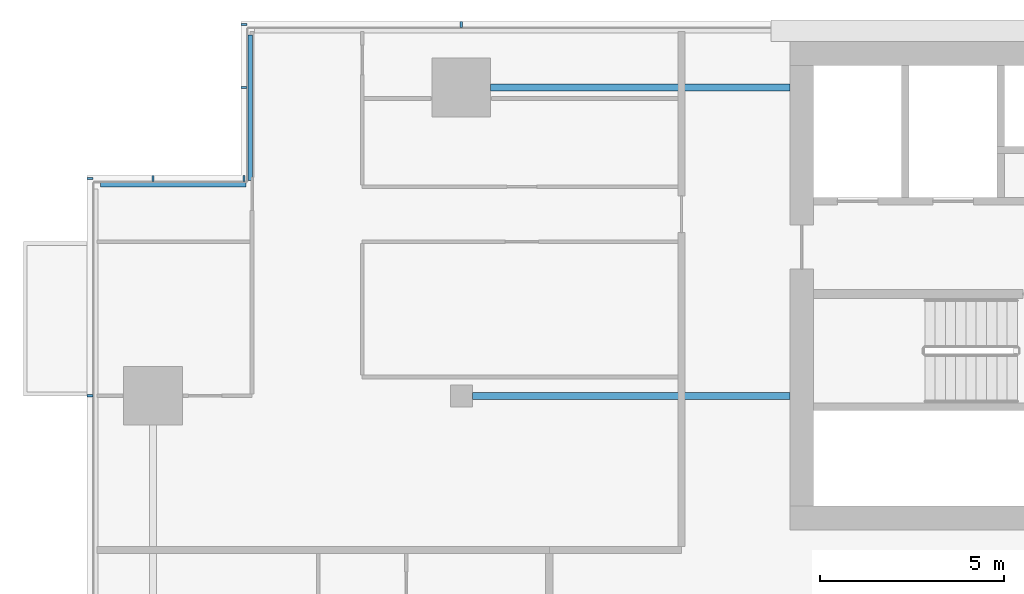
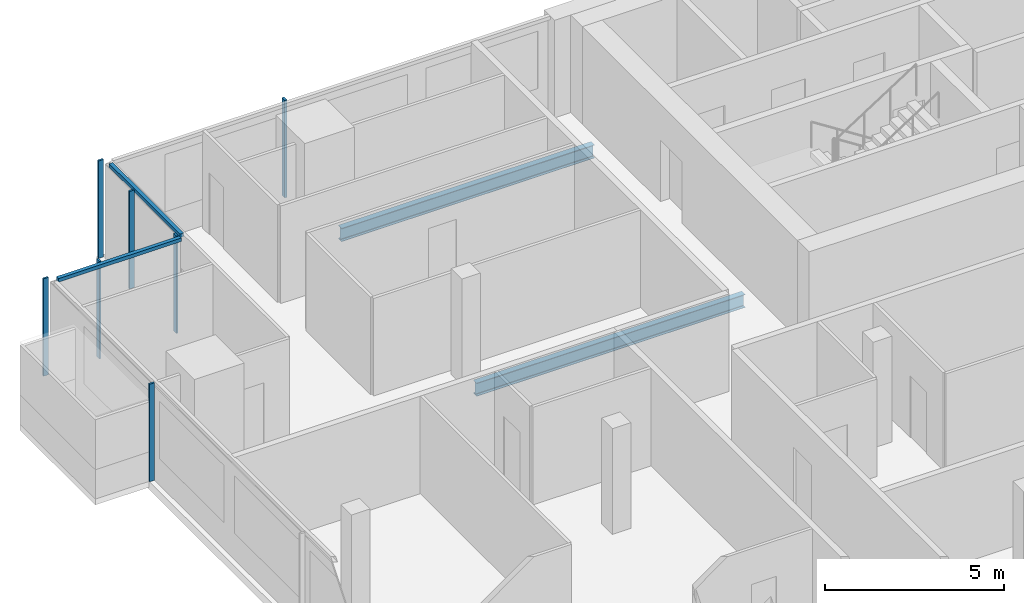
# One storey, part 8 of 30: 9 members, 2 beams, 4 elements without a shape of their own.
"""IFC4 building model written with IfcOpenShell, lengths in metres."""

from ifc_helpers import new_model, si_unit, direction, frame, origin, origin_2d, place, context, subcontext, project, spatial, rectangle, i_section, extrude, material, material_profile, profile_set, type_object, element, aggregate, save


model = new_model("IFC4")

# Units and contexts
model_context = context("Model", 3, precision=1e-05, world=origin(), true_north=direction((0.0, 1.0)))
body_context = subcontext(model_context, "Body", "Model", "MODEL_VIEW")
ifc_project = project(units=[si_unit("LENGTHUNIT", "METRE"), si_unit("AREAUNIT", "SQUARE_METRE"), si_unit("VOLUMEUNIT", "CUBIC_METRE"), si_unit("PLANEANGLEUNIT", "RADIAN"), si_unit("MASSUNIT", "GRAM", prefix="KILO")], contexts=[model_context])

# Site, building, storey
site_placement = place(None, origin())
site = spatial("IfcSite", under=ifc_project, at=site_placement, CompositionType="ELEMENT")
building_placement = place(site_placement, origin())
building = spatial("IfcBuilding", under=site, at=building_placement, Name="Saffron Gate Tower", CompositionType="ELEMENT")
storey_placement = place(building_placement, frame((0.0, 0.0, 223.5)))
storey = spatial("IfcBuildingStorey", under=building, at=storey_placement, Name="L54", CompositionType="ELEMENT", Elevation=223.5)

# Beams
ifc_material_1 = material(Name="Structural steel S355", Category="steel")
ifc_material_profile_1 = material_profile(ifc_material_1, i_section(OverallWidth=0.18994140625, OverallDepth=0.449951171875, WebThickness=0.009521484375, FlangeThickness=0.0146484375, FilletRadius=0.02099609375, at=origin_2d()))
ifc_profile_set_1 = profile_set([ifc_material_profile_1], Name="Structural steel S355")
beam_type = type_object("IfcBeamType", Name="B6 IPE 450", PredefinedType="BEAM", material=ifc_profile_set_1)
beam_1_placement = place(storey_placement, frame((58.5, 65.39990234375, -0.5048828125), z_axis=(1.0, 0.0, 0.0), x_axis=(0.0, 1.0, 0.0)))
element("IfcBeam", 1, at=beam_1_placement, inside=storey, type_object=beam_type, Name="B6 CORE TIE BEAM", PredefinedType="BEAM", context=body_context, shape_type="SweptSolid", body=[
    extrude(i_section(OverallWidth=0.18994140625, OverallDepth=0.449951171875, WebThickness=0.009521484375, FlangeThickness=0.0146484375, FilletRadius=0.02099609375, at=origin_2d()), origin(), (0.0, 0.0, 1.0), 8.64990234375),
])
beam_2_placement = place(storey_placement, frame((59.0, 73.800048828125, -0.5048828125), z_axis=(1.0, 0.0, 0.0), x_axis=(0.0, 1.0, 0.0)))
element("IfcBeam", 2, at=beam_2_placement, inside=storey, type_object=beam_type, Name="B6 CORE TIE BEAM", PredefinedType="BEAM", context=body_context, shape_type="SweptSolid", body=[
    extrude(i_section(OverallWidth=0.18994140625, OverallDepth=0.449951171875, WebThickness=0.009521484375, FlangeThickness=0.0146484375, FilletRadius=0.02099609375, at=origin_2d()), origin(), (0.0, 0.0, 1.0), 8.14990234375),
])

# Curtain wall, members
ifc_material_2 = material(Name="Aluminium, bronze anodised", Category="aluminium")
curtain_wall_type_1 = type_object("IfcCurtainWallType", Name="CWS2 curtain wall side facades", PredefinedType="NOTDEFINED", material=ifc_material_2)
curtain_wall_1_placement = place(storey_placement, origin())
curtain_wall_1 = element("IfcCurtainWall", 3, at=curtain_wall_1_placement, inside=storey, type_object=curtain_wall_type_1, Name="CWS2 run 10", PredefinedType="NOTDEFINED")
ifc_material_profile_2 = material_profile(ifc_material_2, rectangle(XDim=0.159912109375, YDim=0.06005859375, at=origin_2d()))
ifc_profile_set_2 = profile_set([ifc_material_profile_2], Name="Aluminium, bronze anodised")
member_type_1 = type_object("IfcMemberType", Name="CWS2 mullion 60x160", PredefinedType="MULLION", material=ifc_profile_set_2)
member_1_placement = place(storey_placement, frame((48.080078125, 71.320068359375, 0.0), z_axis=(0.0, 0.0, 1.0), x_axis=(1.0, 0.0, 0.0)))
member_1 = element("IfcMember", 4, at=member_1_placement, type_object=member_type_1, Name="CWS2 mullion 1", PredefinedType="MULLION", context=body_context, shape_type="SweptSolid", body=[
    extrude(rectangle(XDim=0.159912109375, YDim=0.06005859375, at=origin_2d()), origin(), (0.0, 0.0, 1.0), 3.320068359375),
])
member_2_placement = place(storey_placement, frame((48.080078125, 65.39990234375, 0.0), z_axis=(0.0, 0.0, 1.0), x_axis=(1.0, 0.0, 0.0)))
member_2 = element("IfcMember", 5, at=member_2_placement, type_object=member_type_1, Name="CWS2 mullion 2", PredefinedType="MULLION", context=body_context, shape_type="SweptSolid", body=[
    extrude(rectangle(XDim=0.159912109375, YDim=0.06005859375, at=origin_2d()), origin(), (0.0, 0.0, 1.0), 3.320068359375),
])
aggregate(curtain_wall_1, [member_1, member_2])

# Curtain wall, member
curtain_wall_type_2 = type_object("IfcCurtainWallType", Name="CWS3 curtain wall rear facade", PredefinedType="NOTDEFINED", material=ifc_material_2)
curtain_wall_2_placement = place(storey_placement, origin())
curtain_wall_2 = element("IfcCurtainWall", 6, at=curtain_wall_2_placement, inside=storey, type_object=curtain_wall_type_2, Name="CWS3 run 7", PredefinedType="NOTDEFINED")
ifc_material_profile_3 = material_profile(ifc_material_2, rectangle(XDim=0.159912109375, YDim=0.070068359375, at=origin_2d()))
ifc_profile_set_3 = profile_set([ifc_material_profile_3], Name="Aluminium, bronze anodised")
member_type_2 = type_object("IfcMemberType", Name="CWS3 mullion 70x160", PredefinedType="MULLION", material=ifc_profile_set_3)
member_3_placement = place(storey_placement, frame((58.199951171875, 75.52001953125, 0.0), z_axis=(0.0, 0.0, 1.0), x_axis=(0.0, -1.0, 0.0)))
member_3 = element("IfcMember", 7, at=member_3_placement, type_object=member_type_2, Name="CWS3 mullion 9", PredefinedType="MULLION", context=body_context, shape_type="SweptSolid", body=[
    extrude(rectangle(XDim=0.159912109375, YDim=0.070068359375, at=origin_2d()), origin(), (0.0, 0.0, 1.0), 3.320068359375),
])
aggregate(curtain_wall_2, [member_3])

curtain_wall_type_3 = type_object("IfcCurtainWallType", Name="CWS4 curtain wall corner returns", PredefinedType="NOTDEFINED", material=ifc_material_2)
curtain_wall_3_placement = place(storey_placement, origin())
curtain_wall_3 = element("IfcCurtainWall", 8, at=curtain_wall_3_placement, inside=storey, type_object=curtain_wall_type_3, Name="CWS4 run 8", PredefinedType="NOTDEFINED")
ifc_material_profile_4 = material_profile(ifc_material_2, rectangle(XDim=0.1201171875, YDim=0.1201171875, at=origin_2d()))
ifc_profile_set_4 = profile_set([ifc_material_profile_4], Name="Aluminium, bronze anodised")
member_type_3 = type_object("IfcMemberType", Name="CWS4 head transom", PredefinedType="USERDEFINED", material=ifc_profile_set_4)
member_4_placement = place(storey_placement, frame((52.447998046875, 75.23193359375, 3.260009765625), z_axis=(0.0, -1.0, 0.0), x_axis=(1.0, 0.0, 0.0)))
member_4 = element("IfcMember", 9, at=member_4_placement, type_object=member_type_3, Name="CWS4 head transom", ObjectType="TRANSOM", PredefinedType="USERDEFINED", context=body_context, shape_type="SweptSolid", body=[
    extrude(rectangle(XDim=0.1201171875, YDim=0.1201171875, at=origin_2d()), origin(), (0.0, 0.0, 1.0), 3.9599609375),
])

curtain_wall_4_placement = place(storey_placement, origin())
curtain_wall_4 = element("IfcCurtainWall", 10, at=curtain_wall_4_placement, inside=storey, type_object=curtain_wall_type_3, Name="CWS4 run 9", PredefinedType="NOTDEFINED")
member_5_placement = place(storey_placement, frame((52.327880859375, 71.152099609375, 3.260009765625), z_axis=(-1.0, 0.0, 0.0), x_axis=(0.0, -1.0, 0.0)))
member_5 = element("IfcMember", 11, at=member_5_placement, type_object=member_type_3, Name="CWS4 head transom", ObjectType="TRANSOM", PredefinedType="USERDEFINED", context=body_context, shape_type="SweptSolid", body=[
    extrude(rectangle(XDim=0.1201171875, YDim=0.1201171875, at=origin_2d()), origin(), (0.0, 0.0, 1.0), 3.9599609375),
])

# Member
ifc_material_profile_5 = material_profile(ifc_material_2, rectangle(XDim=0.159912109375, YDim=0.06005859375, at=origin_2d()))
ifc_profile_set_5 = profile_set([ifc_material_profile_5], Name="Aluminium, bronze anodised")
member_type_4 = type_object("IfcMemberType", Name="CWS4 mullion 60x160", PredefinedType="MULLION", material=ifc_profile_set_5)
member_6_placement = place(storey_placement, frame((52.280029296875, 75.52001953125, 0.0), z_axis=(0.0, 0.0, 1.0), x_axis=(1.0, 0.0, 0.0)))
member_6 = element("IfcMember", 12, at=member_6_placement, type_object=member_type_4, Name="CWS4 mullion 1", PredefinedType="MULLION", context=body_context, shape_type="SweptSolid", body=[
    extrude(rectangle(XDim=0.159912109375, YDim=0.06005859375, at=origin_2d()), origin(), (0.0, 0.0, 1.0), 3.320068359375),
])

member_7_placement = place(storey_placement, frame((52.280029296875, 73.800048828125, 0.0), z_axis=(0.0, 0.0, 1.0), x_axis=(1.0, 0.0, 0.0)))
member_7 = element("IfcMember", 13, at=member_7_placement, type_object=member_type_4, Name="CWS4 mullion 2", PredefinedType="MULLION", context=body_context, shape_type="SweptSolid", body=[
    extrude(rectangle(XDim=0.159912109375, YDim=0.06005859375, at=origin_2d()), origin(), (0.0, 0.0, 1.0), 3.320068359375),
])

aggregate(curtain_wall_3, [member_6, member_7, member_4])

member_8_placement = place(storey_placement, frame((52.280029296875, 71.320068359375, 0.0), z_axis=(0.0, 0.0, 1.0), x_axis=(0.0, -1.0, 0.0)))
member_8 = element("IfcMember", 14, at=member_8_placement, type_object=member_type_4, Name="CWS4 mullion 1", PredefinedType="MULLION", context=body_context, shape_type="SweptSolid", body=[
    extrude(rectangle(XDim=0.159912109375, YDim=0.06005859375, at=origin_2d()), origin(), (0.0, 0.0, 1.0), 3.320068359375),
])

member_9_placement = place(storey_placement, frame((49.800048828125, 71.320068359375, 0.0), z_axis=(0.0, 0.0, 1.0), x_axis=(0.0, -1.0, 0.0)))
member_9 = element("IfcMember", 15, at=member_9_placement, type_object=member_type_4, Name="CWS4 mullion 2", PredefinedType="MULLION", context=body_context, shape_type="SweptSolid", body=[
    extrude(rectangle(XDim=0.159912109375, YDim=0.06005859375, at=origin_2d()), origin(), (0.0, 0.0, 1.0), 3.320068359375),
])

aggregate(curtain_wall_4, [member_8, member_9, member_5])

save(model, "model.ifc")
